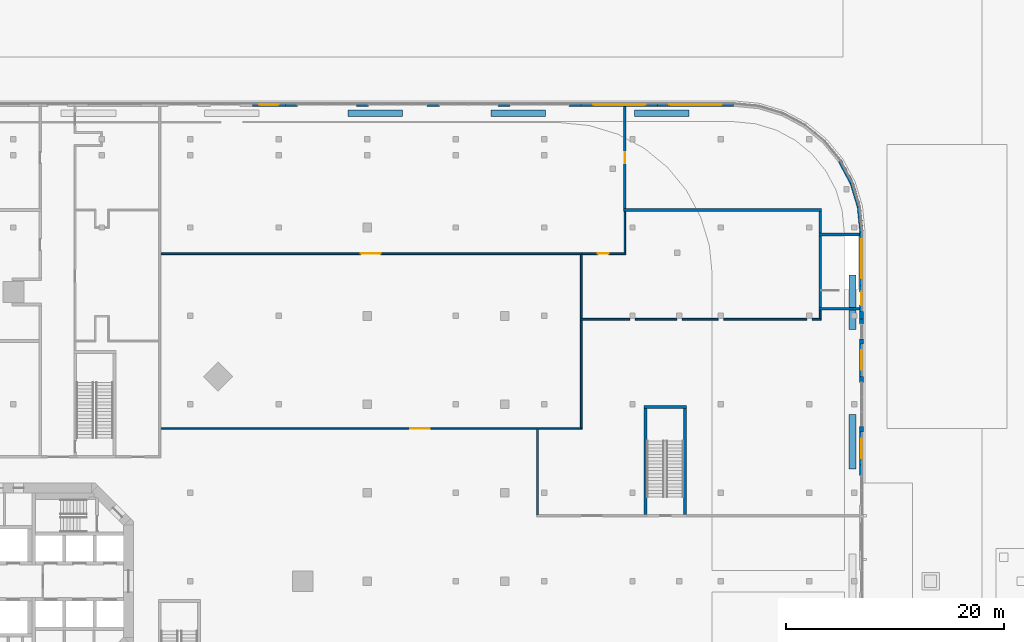
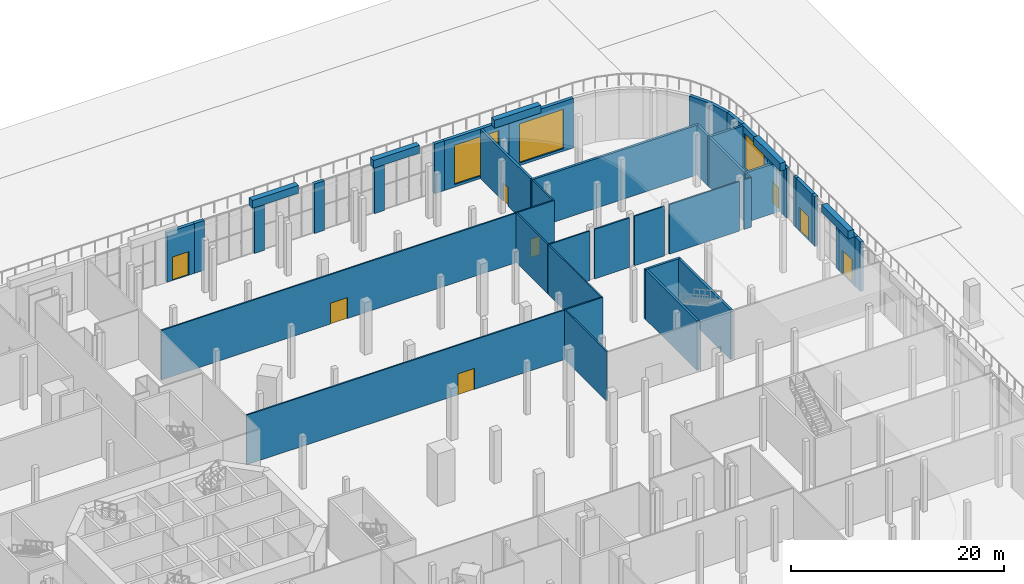
# One storey, part 22 of 32: 48 walls, 8 doors, 3 windows, 11 openings.
"""IFC4 building model written with IfcOpenShell, lengths in metres."""

from ifc_helpers import new_model, si_unit, direction, frame, frame_2d, origin, place, context, subcontext, project, spatial, rectangle, extrude, material, layer, layer_set, type_object, element, fill, save


model = new_model("IFC4")

# Units and contexts
model_context = context("Model", 3, precision=1e-05, world=origin(), true_north=direction((0.0, 1.0)))
body_context = subcontext(model_context, "Body", "Model", "MODEL_VIEW")
ifc_project = project(units=[si_unit("LENGTHUNIT", "METRE"), si_unit("AREAUNIT", "SQUARE_METRE"), si_unit("VOLUMEUNIT", "CUBIC_METRE"), si_unit("PLANEANGLEUNIT", "RADIAN"), si_unit("MASSUNIT", "GRAM", prefix="KILO")], contexts=[model_context])

# Site, building, storey
site_placement = place(None, origin())
site = spatial("IfcSite", under=ifc_project, at=site_placement, CompositionType="ELEMENT")
building_placement = place(site_placement, origin())
building = spatial("IfcBuilding", under=site, at=building_placement, Name="Torre Triforio", CompositionType="ELEMENT")
storey_placement = place(building_placement, origin())
storey = spatial("IfcBuildingStorey", under=building, at=storey_placement, Name="L00", CompositionType="ELEMENT", Elevation=0.0)

# Walls
ifc_material_1 = material(Name="Plasterboard on metal studs")
ifc_layer_1 = layer(ifc_material_1, 0.14990234375)
ifc_layer_set_1 = layer_set([ifc_layer_1], Name="Plasterboard on metal studs")
wall_type_1 = type_object("IfcWallType", Name="Corridor wall 150 EI 60", PredefinedType="PARTITIONING", material=ifc_layer_set_1)
wall_1_placement = place(storey_placement, frame((52.0, 14.074951171875, 0.0), z_axis=(0.0, 0.0, 1.0), x_axis=(0.0, 1.0, 0.0)))
element("IfcWall", 1, at=wall_1_placement, inside=storey, type_object=wall_type_1, Name="Corridor wall L00 037", PredefinedType="PARTITIONING", context=body_context, shape_type="SweptSolid", body=[
    extrude(rectangle(XDim=9.85009765625, YDim=0.14990234375, at=frame_2d((4.925048828125, 0.0))), origin(), (0.0, 0.0, 1.0), 5.679931640625),
])
wall_2_placement = place(storey_placement, frame((48.0, 6.074951171875, 0.0), z_axis=(0.0, 0.0, 1.0), x_axis=(0.0, 1.0, 0.0)))
element("IfcWall", 2, at=wall_2_placement, inside=storey, type_object=wall_type_1, Name="Corridor wall L00 038", PredefinedType="PARTITIONING", context=body_context, shape_type="SweptSolid", body=[
    extrude(rectangle(XDim=7.85009765625, YDim=0.14990234375, at=frame_2d((3.925048828125, 0.0))), origin(), (0.0, 0.0, 1.0), 5.679931640625),
])

# Wall, opening, door
wall_3_placement = place(storey_placement, frame((13.47509765625, 14.0, 0.0), z_axis=(0.0, 0.0, 1.0), x_axis=(1.0, 0.0, 0.0)))
wall_3 = element("IfcWall", 3, at=wall_3_placement, inside=storey, type_object=wall_type_1, Name="Corridor wall L00 102", PredefinedType="PARTITIONING", context=body_context, shape_type="SweptSolid", body=[
    extrude(rectangle(XDim=38.599853515625, YDim=0.14990234375, at=frame_2d((19.2998046875, 0.0))), origin(), (0.0, 0.0, 1.0), 5.679931640625),
])
opening_1_placement = place(wall_3_placement, frame((22.875, 0.0, 0.0)))
opening_1 = element("IfcOpeningElement", 4, at=opening_1_placement, cuts=wall_3, Name="Opening P0-08", PredefinedType="OPENING", context=body_context, shape_type="SweptSolid", body=[
    extrude(rectangle(XDim=1.800048828125, YDim=2.39990234375, at=frame_2d((0.89990234375, 1.199951171875))), frame((0.0, 0.0849609375, 0.0), z_axis=(0.0, -1.0, 0.0), x_axis=(1.0, 0.0, 0.0)), (0.0, 0.0, 1.0), 0.169921875),
])
ifc_material_2 = material(Name="Timber door leaf", Category="wood")
door_type_1 = type_object("IfcDoorType", Name="Double door 1800 x 2400 EI 60", OperationType="NOTDEFINED", PredefinedType="DOOR", material=ifc_material_2)
door_1_placement = place(opening_1_placement, origin())
door_1 = element("IfcDoor", 5, at=door_1_placement, inside=storey, type_object=door_type_1, Name="Door P0-08", OperationType="SINGLE_SWING_LEFT", OverallHeight=2.39990234375, OverallWidth=1.800048828125, PredefinedType="DOOR", context=body_context, shape_type="SweptSolid", body=[
    extrude(rectangle(XDim=1.800048828125, YDim=2.39990234375, at=frame_2d((0.89990234375, 1.199951171875))), frame((0.0, 0.02490234375, 0.0), z_axis=(0.0, -1.0, 0.0), x_axis=(1.0, 0.0, 0.0)), (0.0, 0.0, 1.0), 0.050048828125),
])
fill(opening_1, door_1)

wall_4_placement = place(storey_placement, frame((13.47509765625, 30.0, 0.0), z_axis=(0.0, 0.0, 1.0), x_axis=(1.0, 0.0, 0.0)))
wall_4 = element("IfcWall", 6, at=wall_4_placement, inside=storey, type_object=wall_type_1, Name="Corridor wall L00 103", PredefinedType="PARTITIONING", context=body_context, shape_type="SweptSolid", body=[
    extrude(rectangle(XDim=38.599853515625, YDim=0.14990234375, at=frame_2d((19.2998046875, 0.0))), origin(), (0.0, 0.0, 1.0), 5.679931640625),
])
opening_2_placement = place(wall_4_placement, frame((18.35009765625, 0.0, 0.0)))
opening_2 = element("IfcOpeningElement", 7, at=opening_2_placement, cuts=wall_4, Name="Opening P0-09", PredefinedType="OPENING", context=body_context, shape_type="SweptSolid", body=[
    extrude(rectangle(XDim=1.800048828125, YDim=2.39990234375, at=frame_2d((0.89990234375, 1.199951171875))), frame((0.0, 0.0849609375, 0.0), z_axis=(0.0, -1.0, 0.0), x_axis=(1.0, 0.0, 0.0)), (0.0, 0.0, 1.0), 0.169921875),
])
door_2_placement = place(opening_2_placement, origin())
door_2 = element("IfcDoor", 8, at=door_2_placement, inside=storey, type_object=door_type_1, Name="Door P0-09", OperationType="SINGLE_SWING_LEFT", OverallHeight=2.39990234375, OverallWidth=1.800048828125, PredefinedType="DOOR", context=body_context, shape_type="SweptSolid", body=[
    extrude(rectangle(XDim=1.800048828125, YDim=2.39990234375, at=frame_2d((0.89990234375, 1.199951171875))), frame((0.0, 0.02490234375, 0.0), z_axis=(0.0, -1.0, 0.0), x_axis=(1.0, 0.0, 0.0)), (0.0, 0.0, 1.0), 0.050048828125),
])
fill(opening_2, door_2)

# Walls
ifc_material_3 = material(Name="Masonry block", Category="masonry")
ifc_layer_2 = layer(ifc_material_3, 0.25)
ifc_layer_set_2 = layer_set([ifc_layer_2], Name="Masonry block")
wall_type_2 = type_object("IfcWallType", Name="Plant room wall 250 EI 120", PredefinedType="PARTITIONING", material=ifc_layer_set_2)
wall_5_placement = place(storey_placement, frame((55.875, 34.0, 0.0), z_axis=(0.0, 0.0, 1.0), x_axis=(1.0, 0.0, 0.0)))
element("IfcWall", 9, at=wall_5_placement, inside=storey, type_object=wall_type_2, Name="Plant room wall L00 042", PredefinedType="PARTITIONING", context=body_context, shape_type="SweptSolid", body=[
    extrude(rectangle(XDim=18.14990234375, YDim=0.25, at=frame_2d((9.074951171875, 0.0))), origin(), (0.0, 0.0, 1.0), 5.679931640625),
])
wall_6_placement = place(storey_placement, frame((73.89990234375, 31.875, 0.0), z_axis=(0.0, 0.0, 1.0), x_axis=(0.0, 1.0, 0.0)))
element("IfcWall", 10, at=wall_6_placement, inside=storey, type_object=wall_type_2, Name="Plant room wall L00 043", PredefinedType="PARTITIONING", context=body_context, shape_type="SweptSolid", body=[
    extrude(rectangle(XDim=2.0, YDim=0.25, at=frame_2d((1.0, 0.0))), origin(), (0.0, 0.0, 1.0), 5.679931640625),
])

# Wall, opening, door
wall_7_placement = place(storey_placement, frame((56.0, 34.125, 0.0), z_axis=(0.0, 0.0, 1.0), x_axis=(0.0, 1.0, 0.0)))
wall_7 = element("IfcWall", 11, at=wall_7_placement, inside=storey, type_object=wall_type_2, Name="Plant room wall L00 047", PredefinedType="PARTITIONING", context=body_context, shape_type="SweptSolid", body=[
    extrude(rectangle(XDim=9.375, YDim=0.25, at=frame_2d((4.6875, 0.0))), origin(), (0.0, 0.0, 1.0), 5.679931640625),
])
opening_3_placement = place(wall_7_placement, frame((4.14990234375, 0.0, 0.0)))
opening_3 = element("IfcOpeningElement", 12, at=opening_3_placement, cuts=wall_7, Name="Opening P0-12", PredefinedType="OPENING", context=body_context, shape_type="SweptSolid", body=[
    extrude(rectangle(XDim=1.0, YDim=2.10009765625, at=frame_2d((0.5, 1.050048828125))), frame((0.0, 0.135009765625, 0.0), z_axis=(0.0, -1.0, 0.0), x_axis=(1.0, 0.0, 0.0)), (0.0, 0.0, 1.0), 0.27001953125),
])
ifc_material_4 = material(Name="Hollow metal fire door leaf")
door_type_2 = type_object("IfcDoorType", Name="Fire door 1000 x 2100 EI 60", OperationType="NOTDEFINED", PredefinedType="DOOR", material=ifc_material_4)
door_3_placement = place(opening_3_placement, origin())
door_3 = element("IfcDoor", 13, at=door_3_placement, inside=storey, type_object=door_type_2, Name="Door P0-12", OperationType="SINGLE_SWING_LEFT", OverallHeight=2.10009765625, OverallWidth=1.0, PredefinedType="DOOR", context=body_context, shape_type="SweptSolid", body=[
    extrude(rectangle(XDim=1.0, YDim=2.10009765625, at=frame_2d((0.5, 1.050048828125))), frame((0.0, 0.02490234375, 0.0), z_axis=(0.0, -1.0, 0.0), x_axis=(1.0, 0.0, 0.0)), (0.0, 0.0, 1.0), 0.050048828125),
])
fill(opening_3, door_3)

# Walls
ifc_material_5 = material(Name="Concrete C40", Category="concrete")
ifc_layer_3 = layer(ifc_material_5, 0.25)
ifc_layer_set_3 = layer_set([ifc_layer_3], Name="Concrete C40")
wall_type_3 = type_object("IfcWallType", Name="Plant room wall 250 structural EI 120", PredefinedType="STANDARD", material=ifc_layer_set_3)
wall_8_placement = place(storey_placement, frame((73.77490234375, 31.75, 0.0), z_axis=(0.0, 0.0, 1.0), x_axis=(1.0, 0.0, 0.0)))
element("IfcWall", 14, at=wall_8_placement, inside=storey, type_object=wall_type_3, Name="Plant room wall L00 028", PredefinedType="STANDARD", context=body_context, shape_type="SweptSolid", body=[
    extrude(rectangle(XDim=3.72509765625, YDim=0.25, at=frame_2d((1.862548828125, 0.0))), origin(), (0.0, 0.0, 1.0), 5.679931640625),
])
ifc_layer_4 = layer(ifc_material_5, 0.25)
ifc_layer_set_4 = layer_set([ifc_layer_4], Name="Concrete C40")
wall_type_4 = type_object("IfcWallType", Name="Stair enclosure wall 250 EI 120", PredefinedType="STANDARD", material=ifc_layer_set_4)
wall_9_placement = place(storey_placement, frame((73.77490234375, 24.949951171875, 0.0), z_axis=(0.0, 0.0, 1.0), x_axis=(1.0, 0.0, 0.0)))
element("IfcWall", 15, at=wall_9_placement, inside=storey, type_object=wall_type_4, Name="Stair enclosure wall L00 026", PredefinedType="STANDARD", context=body_context, shape_type="SweptSolid", body=[
    extrude(rectangle(XDim=3.72509765625, YDim=0.25, at=frame_2d((1.862548828125, 0.0))), origin(), (0.0, 0.0, 1.0), 5.679931640625),
])
wall_10_placement = place(storey_placement, frame((73.89990234375, 25.074951171875, 0.0), z_axis=(0.0, 0.0, 1.0), x_axis=(0.0, 1.0, 0.0)))
element("IfcWall", 16, at=wall_10_placement, inside=storey, type_object=wall_type_4, Name="Stair enclosure wall L00 027", PredefinedType="STANDARD", context=body_context, shape_type="SweptSolid", body=[
    extrude(rectangle(XDim=6.550048828125, YDim=0.25, at=frame_2d((3.27490234375, 0.0))), origin(), (0.0, 0.0, 1.0), 5.679931640625),
])
wall_11_placement = place(storey_placement, frame((57.77490234375, 15.949951171875, 0.0), z_axis=(0.0, 0.0, 1.0), x_axis=(1.0, 0.0, 0.0)))
element("IfcWall", 17, at=wall_11_placement, inside=storey, type_object=wall_type_4, Name="Stair enclosure wall L00 039", PredefinedType="STANDARD", context=body_context, shape_type="SweptSolid", body=[
    extrude(rectangle(XDim=3.85009765625, YDim=0.25, at=frame_2d((1.925048828125, 0.0))), origin(), (0.0, 0.0, 1.0), 5.679931640625),
])
for number, where, z_axis, x_axis, name in (
    (18, (57.89990234375, 6.125, 0.0), (0.0, 0.0, 1.0), (0.0, 1.0, 0.0), "Stair enclosure wall L00 040"),
    (19, (61.5, 6.125, 0.0), (0.0, 0.0, 1.0), (0.0, 1.0, 0.0), "Stair enclosure wall L00 041"),
):
    element("IfcWall", number, at=place(storey_placement, frame(where, z_axis=z_axis, x_axis=x_axis)), inside=storey, type_object=wall_type_4, Name=name, PredefinedType="STANDARD", context=body_context, shape_type="SweptSolid", body=[
        extrude(rectangle(XDim=9.699951171875, YDim=0.25, at=frame_2d((4.85009765625, 0.0))), origin(), (0.0, 0.0, 1.0), 5.679931640625),
    ])
ifc_material_6 = material(Name="Limestone cladding", Category="masonry")
ifc_layer_5 = layer(ifc_material_6, 0.10009765625)
ifc_layer_6 = layer(ifc_material_5, 0.25)
ifc_layer_set_5 = layer_set([ifc_layer_5, ifc_layer_6], Name="Limestone cladding / Concrete C40")
wall_type_5 = type_object("IfcWallType", Name="Stone-clad podium wall 350", PredefinedType="STANDARD", material=ifc_layer_set_5)
wall_12_placement = place(storey_placement, frame((77.675048828125, 9.675048828125, 0.0), z_axis=(0.0, 0.0, 1.0), x_axis=(0.0, 1.0, 0.0)))
element("IfcWall", 20, at=wall_12_placement, inside=storey, type_object=wall_type_5, Name="External wall L00 e08.9.1.g1", PredefinedType="STANDARD", context=body_context, shape_type="SweptSolid", body=[
    extrude(rectangle(XDim=0.974853515625, YDim=0.35009765625, at=frame_2d((0.4873046875, 0.0))), origin(), (0.0, 0.0, 1.0), 5.679931640625),
])

# Wall, opening, door
wall_13_placement = place(storey_placement, frame((77.675048828125, 10.64990234375, 0.0), z_axis=(0.0, 0.0, 1.0), x_axis=(0.0, 1.0, 0.0)))
wall_13 = element("IfcWall", 21, at=wall_13_placement, inside=storey, type_object=wall_type_5, Name="External wall L00 e08.10", PredefinedType="STANDARD", context=body_context, shape_type="SweptSolid", body=[
    extrude(rectangle(XDim=3.0, YDim=0.35009765625, at=frame_2d((1.5, 0.0))), origin(), (0.0, 0.0, 1.0), 5.679931640625),
])
opening_4_placement = place(wall_13_placement, frame((0.60009765625, 0.0, 0.0)))
opening_4 = element("IfcOpeningElement", 22, at=opening_4_placement, cuts=wall_13, Name="Opening P0-35", PredefinedType="OPENING", context=body_context, shape_type="SweptSolid", body=[
    extrude(rectangle(XDim=1.800048828125, YDim=2.699951171875, at=frame_2d((0.89990234375, 1.35009765625))), frame((0.0, 0.18505859375, 0.0), z_axis=(0.0, -1.0, 0.0), x_axis=(1.0, 0.0, 0.0)), (0.0, 0.0, 1.0), 0.3701171875),
])
ifc_material_7 = material(Name="Glazed aluminium door", Category="aluminium")
door_type_3 = type_object("IfcDoorType", Name="Garden double door 1800 x 2700", OperationType="NOTDEFINED", PredefinedType="DOOR", material=ifc_material_7)
door_4_placement = place(opening_4_placement, frame((1.800048828125, 0.0, 0.0), z_axis=(0.0, 0.0, 1.0), x_axis=(-1.0, 0.0, 0.0)))
door_4 = element("IfcDoor", 23, at=door_4_placement, inside=storey, type_object=door_type_3, Name="Door P0-35", OperationType="SINGLE_SWING_RIGHT", OverallHeight=2.699951171875, OverallWidth=1.800048828125, PredefinedType="DOOR", context=body_context, shape_type="SweptSolid", body=[
    extrude(rectangle(XDim=1.800048828125, YDim=2.699951171875, at=frame_2d((0.89990234375, 1.35009765625))), frame((0.0, 0.02490234375, 0.0), z_axis=(0.0, -1.0, 0.0), x_axis=(1.0, 0.0, 0.0)), (0.0, 0.0, 1.0), 0.050048828125),
])
fill(opening_4, door_4)

# Walls
wall_14_placement = place(storey_placement, frame((77.675048828125, 13.64990234375, 0.0), z_axis=(0.0, 0.0, 1.0), x_axis=(0.0, 1.0, 0.0)))
element("IfcWall", 24, at=wall_14_placement, inside=storey, type_object=wall_type_5, Name="External wall L00 e08.11.g0", PredefinedType="STANDARD", context=body_context, shape_type="SweptSolid", body=[
    extrude(rectangle(XDim=0.525146484375, YDim=0.35009765625, at=frame_2d((0.2626953125, 0.0))), origin(), (0.0, 0.0, 1.0), 5.679931640625),
])
wall_15_placement = place(storey_placement, frame((77.675048828125, 18.22509765625, 0.0), z_axis=(0.0, 0.0, 1.0), x_axis=(0.0, 1.0, 0.0)))
element("IfcWall", 25, at=wall_15_placement, inside=storey, type_object=wall_type_5, Name="External wall L00 e08.11.g1", PredefinedType="STANDARD", context=body_context, shape_type="SweptSolid", body=[
    extrude(rectangle(XDim=0.52490234375, YDim=0.35009765625, at=frame_2d((0.262451171875, 0.0))), origin(), (0.0, 0.0, 1.0), 5.679931640625),
])

# Wall, opening, door
wall_16_placement = place(storey_placement, frame((77.675048828125, 18.75, 0.0), z_axis=(0.0, 0.0, 1.0), x_axis=(0.0, 1.0, 0.0)))
wall_16 = element("IfcWall", 26, at=wall_16_placement, inside=storey, type_object=wall_type_5, Name="External wall L00 e08.12", PredefinedType="STANDARD", context=body_context, shape_type="SweptSolid", body=[
    extrude(rectangle(XDim=3.0, YDim=0.35009765625, at=frame_2d((1.5, 0.0))), origin(), (0.0, 0.0, 1.0), 5.679931640625),
])
opening_5_placement = place(wall_16_placement, frame((0.60009765625, 0.0, 0.0)))
opening_5 = element("IfcOpeningElement", 27, at=opening_5_placement, cuts=wall_16, Name="Opening P0-36", PredefinedType="OPENING", context=body_context, shape_type="SweptSolid", body=[
    extrude(rectangle(XDim=1.800048828125, YDim=2.699951171875, at=frame_2d((0.89990234375, 1.35009765625))), frame((0.0, 0.18505859375, 0.0), z_axis=(0.0, -1.0, 0.0), x_axis=(1.0, 0.0, 0.0)), (0.0, 0.0, 1.0), 0.3701171875),
])
door_5_placement = place(opening_5_placement, frame((1.800048828125, 0.0, 0.0), z_axis=(0.0, 0.0, 1.0), x_axis=(-1.0, 0.0, 0.0)))
door_5 = element("IfcDoor", 28, at=door_5_placement, inside=storey, type_object=door_type_3, Name="Door P0-36", OperationType="SINGLE_SWING_RIGHT", OverallHeight=2.699951171875, OverallWidth=1.800048828125, PredefinedType="DOOR", context=body_context, shape_type="SweptSolid", body=[
    extrude(rectangle(XDim=1.800048828125, YDim=2.699951171875, at=frame_2d((0.89990234375, 1.35009765625))), frame((0.0, 0.02490234375, 0.0), z_axis=(0.0, -1.0, 0.0), x_axis=(1.0, 0.0, 0.0)), (0.0, 0.0, 1.0), 0.050048828125),
])
fill(opening_5, door_5)

# Walls
for number, where, z_axis, x_axis, name in (
    (29, (77.675048828125, 21.75, 0.0), (0.0, 0.0, 1.0), (0.0, 1.0, 0.0), "External wall L00 e08.13.0.g0"),
    (30, (77.675048828125, 23.550048828125, 0.0), (0.0, 0.0, 1.0), (0.0, 1.0, 0.0), "External wall L00 e08.13.0.g1"),
):
    element("IfcWall", number, at=place(storey_placement, frame(where, z_axis=z_axis, x_axis=x_axis)), inside=storey, type_object=wall_type_5, Name=name, PredefinedType="STANDARD", context=body_context, shape_type="SweptSolid", body=[
        extrude(rectangle(XDim=0.449951171875, YDim=0.35009765625, at=frame_2d((0.22509765625, 0.0))), origin(), (0.0, 0.0, 1.0), 5.679931640625),
    ])
wall_17_placement = place(storey_placement, frame((77.675048828125, 24.0, 0.0), z_axis=(0.0, 0.0, 1.0), x_axis=(0.0, 1.0, 0.0)))
element("IfcWall", 31, at=wall_17_placement, inside=storey, type_object=wall_type_5, Name="External wall L00 e08.13.1.w0", PredefinedType="STANDARD", context=body_context, shape_type="SweptSolid", body=[
    extrude(rectangle(XDim=0.699951171875, YDim=0.35009765625, at=frame_2d((0.35009765625, 0.0))), origin(), (0.0, 0.0, 1.0), 5.679931640625),
])

# Wall, opening, door
wall_18_placement = place(storey_placement, frame((77.675048828125, 24.699951171875, 0.0), z_axis=(0.0, 0.0, 1.0), x_axis=(0.0, 1.0, 0.0)))
wall_18 = element("IfcWall", 32, at=wall_18_placement, inside=storey, type_object=wall_type_5, Name="External wall L00 e08.14", PredefinedType="STANDARD", context=body_context, shape_type="SweptSolid", body=[
    extrude(rectangle(XDim=2.400146484375, YDim=0.35009765625, at=frame_2d((1.2001953125, 0.0))), origin(), (0.0, 0.0, 1.0), 5.679931640625),
])
opening_6_placement = place(wall_18_placement, frame((0.60009765625, 0.0, 0.0)))
opening_6 = element("IfcOpeningElement", 33, at=opening_6_placement, cuts=wall_18, Name="Opening P0-53", PredefinedType="OPENING", context=body_context, shape_type="SweptSolid", body=[
    extrude(rectangle(XDim=1.199951171875, YDim=2.39990234375, at=frame_2d((0.60009765625, 1.199951171875))), frame((0.0, 0.18505859375, 0.0), z_axis=(0.0, -1.0, 0.0), x_axis=(1.0, 0.0, 0.0)), (0.0, 0.0, 1.0), 0.3701171875),
])
ifc_material_8 = material(Name="Galvanised hollow metal door leaf")
door_type_4 = type_object("IfcDoorType", Name="Exit discharge door 1200 x 2400", OperationType="NOTDEFINED", PredefinedType="DOOR", material=ifc_material_8)
door_6_placement = place(opening_6_placement, frame((1.199951171875, 0.0, 0.0), z_axis=(0.0, 0.0, 1.0), x_axis=(-1.0, 0.0, 0.0)))
door_6 = element("IfcDoor", 34, at=door_6_placement, inside=storey, type_object=door_type_4, Name="Door P0-53", OperationType="SINGLE_SWING_RIGHT", OverallHeight=2.39990234375, OverallWidth=1.199951171875, PredefinedType="DOOR", context=body_context, shape_type="SweptSolid", body=[
    extrude(rectangle(XDim=1.199951171875, YDim=2.39990234375, at=frame_2d((0.60009765625, 1.199951171875))), frame((0.0, 0.02490234375, 0.0), z_axis=(0.0, -1.0, 0.0), x_axis=(1.0, 0.0, 0.0)), (0.0, 0.0, 1.0), 0.050048828125),
])
fill(opening_6, door_6)

# Wall, opening, window
wall_19_placement = place(storey_placement, frame((77.675048828125, 27.10009765625, 0.0), z_axis=(0.0, 0.0, 1.0), x_axis=(0.0, 1.0, 0.0)))
wall_19 = element("IfcWall", 35, at=wall_19_placement, inside=storey, type_object=wall_type_5, Name="External wall L00 e08.15.w0", PredefinedType="STANDARD", context=body_context, shape_type="SweptSolid", body=[
    extrude(rectangle(XDim=4.8837890625, YDim=0.35009765625, at=frame_2d((2.44189453125, 0.0))), origin(), (0.0, 0.0, 1.0), 5.679931640625),
])
opening_7_placement = place(wall_19_placement, frame((0.64208984375, 0.0, 1.0)))
opening_7 = element("IfcOpeningElement", 36, at=opening_7_placement, cuts=wall_19, Name="Opening P0-W01", PredefinedType="OPENING", context=body_context, shape_type="SweptSolid", body=[
    extrude(rectangle(XDim=3.60009765625, YDim=4.0, at=frame_2d((1.800048828125, 2.0))), frame((0.0, 0.18505859375, 0.0), z_axis=(0.0, -1.0, 0.0), x_axis=(1.0, 0.0, 0.0)), (0.0, 0.0, 1.0), 0.3701171875),
])
ifc_material_9 = material(Name="Aluminium frame with clear double glazing", Category="aluminium")
window_type_1 = type_object("IfcWindowType", Name="Podium window 3600 x 4000", PartitioningType="DOUBLE_PANEL_VERTICAL", PredefinedType="WINDOW", material=ifc_material_9)
window_1_placement = place(opening_7_placement, origin())
window_1 = element("IfcWindow", 37, at=window_1_placement, inside=storey, type_object=window_type_1, Name="Window L00 e08.15.w0", OverallHeight=4.0, OverallWidth=3.60009765625, PartitioningType="SINGLE_PANEL", PredefinedType="WINDOW", context=body_context, shape_type="SweptSolid", body=[
    extrude(rectangle(XDim=3.60009765625, YDim=4.0, at=frame_2d((1.800048828125, 2.0))), frame((0.0, 0.030029296875, 0.0), z_axis=(0.0, -1.0, 0.0), x_axis=(1.0, 0.0, 0.0)), (0.0, 0.0, 1.0), 0.06005859375),
])
fill(opening_7, window_1)

# Walls
wall_20_placement = place(storey_placement, frame((77.675048828125, 31.98388671875, 0.0), z_axis=(0.0, 0.0, 1.0), x_axis=(-0.097993192849, 0.995187085002, 0.0)))
element("IfcWall", 38, at=wall_20_placement, inside=storey, type_object=wall_type_5, Name="External wall L00 e09.0.w0", PredefinedType="STANDARD", context=body_context, shape_type="SweptSolid", body=[
    extrude(rectangle(XDim=2.304443359375, YDim=0.35009765625, at=frame_2d((1.15234375, 0.0))), origin(), (0.0, 0.0, 1.0), 5.679931640625),
])
wall_21_placement = place(storey_placement, frame((77.44921875, 34.27734375, 0.0), z_axis=(0.0, 0.0, 1.0), x_axis=(-0.29028274763, 0.956940921075, 0.0)))
element("IfcWall", 39, at=wall_21_placement, inside=storey, type_object=wall_type_5, Name="External wall L00 e10.0.w0", PredefinedType="STANDARD", context=body_context, shape_type="SweptSolid", body=[
    extrude(rectangle(XDim=2.28857421875, YDim=0.35009765625, at=frame_2d((1.144287109375, 0.0))), origin(), (0.0, 0.0, 1.0), 5.679931640625),
])
wall_22_placement = place(storey_placement, frame((76.784912109375, 36.46728515625, 0.0), z_axis=(0.0, 0.0, 1.0), x_axis=(-0.47145739061, 0.881888841544, 0.0)))
element("IfcWall", 40, at=wall_22_placement, inside=storey, type_object=wall_type_5, Name="External wall L00 e11.0.w0", PredefinedType="STANDARD", context=body_context, shape_type="SweptSolid", body=[
    extrude(rectangle(XDim=2.288330078125, YDim=0.35009765625, at=frame_2d((1.14404296875, 0.0))), origin(), (0.0, 0.0, 1.0), 5.679931640625),
])

# Wall, opening, window
wall_23_placement = place(storey_placement, frame((65.98388671875, 43.675048828125, 0.0), z_axis=(0.0, 0.0, 1.0), x_axis=(-1.0, 0.0, 0.0)))
wall_23 = element("IfcWall", 41, at=wall_23_placement, inside=storey, type_object=wall_type_5, Name="External wall L00 e17.0.0.w0", PredefinedType="STANDARD", context=body_context, shape_type="SweptSolid", body=[
    extrude(rectangle(XDim=6.991943359375, YDim=0.35009765625, at=frame_2d((3.49609375, 0.0))), origin(), (0.0, 0.0, 1.0), 5.679931640625),
])
opening_8_placement = place(wall_23_placement, frame((1.095947265625, 0.0, 0.300048828125)))
opening_8 = element("IfcOpeningElement", 42, at=opening_8_placement, cuts=wall_23, Name="Opening P0-W02", PredefinedType="OPENING", context=body_context, shape_type="SweptSolid", body=[
    extrude(rectangle(XDim=4.800048828125, YDim=4.5, at=frame_2d((2.39990234375, 2.25))), frame((0.0, 0.18505859375, 0.0), z_axis=(0.0, -1.0, 0.0), x_axis=(1.0, 0.0, 0.0)), (0.0, 0.0, 1.0), 0.3701171875),
])
ifc_material_10 = material(Name="Aluminium frame with clear laminated glazing", Category="aluminium")
window_type_2 = type_object("IfcWindowType", Name="Shopfront window 4800 x 4500", PartitioningType="DOUBLE_PANEL_VERTICAL", PredefinedType="WINDOW", material=ifc_material_10)
window_2_placement = place(opening_8_placement, origin())
window_2 = element("IfcWindow", 43, at=window_2_placement, inside=storey, type_object=window_type_2, Name="Window L00 e17.0.0.w0", OverallHeight=4.5, OverallWidth=4.800048828125, PartitioningType="SINGLE_PANEL", PredefinedType="WINDOW", context=body_context, shape_type="SweptSolid", body=[
    extrude(rectangle(XDim=4.800048828125, YDim=4.5, at=frame_2d((2.39990234375, 2.25))), frame((0.0, 0.030029296875, 0.0), z_axis=(0.0, -1.0, 0.0), x_axis=(1.0, 0.0, 0.0)), (0.0, 0.0, 1.0), 0.06005859375),
])
fill(opening_8, window_2)

wall_24_placement = place(storey_placement, frame((58.991943359375, 43.675048828125, 0.0), z_axis=(0.0, 0.0, 1.0), x_axis=(-1.0, 0.0, 0.0)))
wall_24 = element("IfcWall", 44, at=wall_24_placement, inside=storey, type_object=wall_type_5, Name="External wall L00 e17.0.0.w1", PredefinedType="STANDARD", context=body_context, shape_type="SweptSolid", body=[
    extrude(rectangle(XDim=6.991943359375, YDim=0.35009765625, at=frame_2d((3.49609375, 0.0))), origin(), (0.0, 0.0, 1.0), 5.679931640625),
])
opening_9_placement = place(wall_24_placement, frame((1.095947265625, 0.0, 0.300048828125)))
opening_9 = element("IfcOpeningElement", 45, at=opening_9_placement, cuts=wall_24, Name="Opening P0-W03", PredefinedType="OPENING", context=body_context, shape_type="SweptSolid", body=[
    extrude(rectangle(XDim=4.800048828125, YDim=4.5, at=frame_2d((2.39990234375, 2.25))), frame((0.0, 0.18505859375, 0.0), z_axis=(0.0, -1.0, 0.0), x_axis=(1.0, 0.0, 0.0)), (0.0, 0.0, 1.0), 0.3701171875),
])
window_3_placement = place(opening_9_placement, origin())
window_3 = element("IfcWindow", 46, at=window_3_placement, inside=storey, type_object=window_type_2, Name="Window L00 e17.0.0.w1", OverallHeight=4.5, OverallWidth=4.800048828125, PartitioningType="SINGLE_PANEL", PredefinedType="WINDOW", context=body_context, shape_type="SweptSolid", body=[
    extrude(rectangle(XDim=4.800048828125, YDim=4.5, at=frame_2d((2.39990234375, 2.25))), frame((0.0, 0.030029296875, 0.0), z_axis=(0.0, -1.0, 0.0), x_axis=(1.0, 0.0, 0.0)), (0.0, 0.0, 1.0), 0.06005859375),
])
fill(opening_9, window_3)

# Walls
for number, where, z_axis, x_axis, name in (
    (47, (52.0, 43.675048828125, 0.0), (0.0, 0.0, 1.0), (-1.0, 0.0, 0.0), "External wall L00 e17.0.1.g0"),
    (48, (45.5, 43.675048828125, 0.0), (0.0, 0.0, 1.0), (-1.0, 0.0, 0.0), "External wall L00 e17.0.1.g1"),
    (49, (39.0, 43.675048828125, 0.0), (0.0, 0.0, 1.0), (-1.0, 0.0, 0.0), "External wall L00 e17.0.1.g2"),
    (50, (32.5, 43.675048828125, 0.0), (0.0, 0.0, 1.0), (-1.0, 0.0, 0.0), "External wall L00 e17.0.1.g3"),
    (51, (26.0, 43.675048828125, 0.0), (0.0, 0.0, 1.0), (-1.0, 0.0, 0.0), "External wall L00 e17.0.1.g4"),
):
    element("IfcWall", number, at=place(storey_placement, frame(where, z_axis=z_axis, x_axis=x_axis)), inside=storey, type_object=wall_type_5, Name=name, PredefinedType="STANDARD", context=body_context, shape_type="SweptSolid", body=[
        extrude(rectangle(XDim=1.10009765625, YDim=0.35009765625, at=frame_2d((0.550048828125, 0.0))), origin(), (0.0, 0.0, 1.0), 5.679931640625),
    ])

# Wall, opening, door
wall_25_placement = place(storey_placement, frame((24.89990234375, 43.675048828125, 0.0), z_axis=(0.0, 0.0, 1.0), x_axis=(-1.0, 0.0, 0.0)))
wall_25 = element("IfcWall", 52, at=wall_25_placement, inside=storey, type_object=wall_type_5, Name="External wall L00 e17.1", PredefinedType="STANDARD", context=body_context, shape_type="SweptSolid", body=[
    extrude(rectangle(XDim=3.0, YDim=0.35009765625, at=frame_2d((1.5, 0.0))), origin(), (0.0, 0.0, 1.0), 5.679931640625),
])
opening_10_placement = place(wall_25_placement, frame((0.60009765625, 0.0, 0.0)))
opening_10 = element("IfcOpeningElement", 53, at=opening_10_placement, cuts=wall_25, Name="Opening P0-40", PredefinedType="OPENING", context=body_context, shape_type="SweptSolid", body=[
    extrude(rectangle(XDim=1.800048828125, YDim=2.699951171875, at=frame_2d((0.89990234375, 1.35009765625))), frame((0.0, 0.18505859375, 0.0), z_axis=(0.0, -1.0, 0.0), x_axis=(1.0, 0.0, 0.0)), (0.0, 0.0, 1.0), 0.3701171875),
])
door_7_placement = place(opening_10_placement, frame((1.800048828125, 0.0, 0.0), z_axis=(0.0, 0.0, 1.0), x_axis=(-1.0, 0.0, 0.0)))
door_7 = element("IfcDoor", 54, at=door_7_placement, inside=storey, type_object=door_type_3, Name="Door P0-40", OperationType="SINGLE_SWING_RIGHT", OverallHeight=2.699951171875, OverallWidth=1.800048828125, PredefinedType="DOOR", context=body_context, shape_type="SweptSolid", body=[
    extrude(rectangle(XDim=1.800048828125, YDim=2.699951171875, at=frame_2d((0.89990234375, 1.35009765625))), frame((0.0, 0.02490234375, 0.0), z_axis=(0.0, -1.0, 0.0), x_axis=(1.0, 0.0, 0.0)), (0.0, 0.0, 1.0), 0.050048828125),
])
fill(opening_10, door_7)

# Walls
ifc_layer_7 = layer(ifc_material_6, 0.10009765625)
ifc_layer_8 = layer(ifc_material_5, 0.5)
ifc_layer_set_6 = layer_set([ifc_layer_7, ifc_layer_8], Name="Limestone cladding / Concrete C40")
wall_type_6 = type_object("IfcWallType", Name="Terrace planter wall 600", PredefinedType="PARAPET", material=ifc_layer_set_6)
for number, where, z_axis, x_axis, name in (
    (55, (76.85009765625, 10.27734375, 6.0), (0.0, 0.0, 1.0), (0.0, 1.0, 0.0), "Terrace T1 planter 09.4"),
    (56, (76.85009765625, 23.0546875, 6.0), (0.0, 0.0, 1.0), (0.0, 1.0, 0.0), "Terrace T1 planter 09.5"),
    (57, (61.880126953125, 42.85009765625, 6.0), (0.0, 0.0, 1.0), (-1.0, 0.0, 0.0), "Terrace T1 planter 18.1"),
    (58, (48.75341796875, 42.85009765625, 6.0), (0.0, 0.0, 1.0), (-1.0, 0.0, 0.0), "Terrace T1 planter 18.2"),
    (59, (35.626708984375, 42.85009765625, 6.0), (0.0, 0.0, 1.0), (-1.0, 0.0, 0.0), "Terrace T1 planter 18.3"),
):
    element("IfcWall", number, at=place(storey_placement, frame(where, z_axis=z_axis, x_axis=x_axis)), inside=storey, type_object=wall_type_6, Name=name, PredefinedType="PARAPET", context=body_context, shape_type="SweptSolid", body=[
        extrude(rectangle(XDim=5.0, YDim=0.60009765625, at=frame_2d((2.5, 0.0))), origin(), (0.0, 0.0, 1.0), 0.89990234375),
    ])
ifc_layer_9 = layer(ifc_material_1, 0.14990234375)
ifc_layer_set_7 = layer_set([ifc_layer_9], Name="Plasterboard on metal studs")
wall_type_7 = type_object("IfcWallType", Name="Wet room wall 150", PredefinedType="PARTITIONING", material=ifc_layer_set_7)
wall_26_placement = place(storey_placement, frame((51.925048828125, 24.0, 0.0), z_axis=(0.0, 0.0, 1.0), x_axis=(1.0, 0.0, 0.0)))
element("IfcWall", 60, at=wall_26_placement, inside=storey, type_object=wall_type_7, Name="Wet room wall L00 029", PredefinedType="PARTITIONING", context=body_context, shape_type="SweptSolid", body=[
    extrude(rectangle(XDim=4.514892578125, YDim=0.14990234375, at=frame_2d((2.25732421875, 0.0))), origin(), (0.0, 0.0, 1.0), 5.679931640625),
])
wall_27_placement = place(storey_placement, frame((56.9599609375, 24.0, 0.0), z_axis=(0.0, 0.0, 1.0), x_axis=(1.0, 0.0, 0.0)))
element("IfcWall", 61, at=wall_27_placement, inside=storey, type_object=wall_type_7, Name="Wet room wall L00 030", PredefinedType="PARTITIONING", context=body_context, shape_type="SweptSolid", body=[
    extrude(rectangle(XDim=3.780029296875, YDim=0.14990234375, at=frame_2d((1.89013671875, 0.0))), origin(), (0.0, 0.0, 1.0), 5.679931640625),
])
wall_28_placement = place(storey_placement, frame((61.260009765625, 24.0, 0.0), z_axis=(0.0, 0.0, 1.0), x_axis=(1.0, 0.0, 0.0)))
element("IfcWall", 62, at=wall_28_placement, inside=storey, type_object=wall_type_7, Name="Wet room wall L00 031", PredefinedType="PARTITIONING", context=body_context, shape_type="SweptSolid", body=[
    extrude(rectangle(XDim=3.280029296875, YDim=0.14990234375, at=frame_2d((1.64013671875, 0.0))), origin(), (0.0, 0.0, 1.0), 5.679931640625),
])
wall_29_placement = place(storey_placement, frame((65.06005859375, 24.0, 0.0), z_axis=(0.0, 0.0, 1.0), x_axis=(1.0, 0.0, 0.0)))
element("IfcWall", 63, at=wall_29_placement, inside=storey, type_object=wall_type_7, Name="Wet room wall L00 032", PredefinedType="PARTITIONING", context=body_context, shape_type="SweptSolid", body=[
    extrude(rectangle(XDim=7.579833984375, YDim=0.14990234375, at=frame_2d((3.7900390625, 0.0))), origin(), (0.0, 0.0, 1.0), 5.679931640625),
])
wall_30_placement = place(storey_placement, frame((73.159912109375, 24.0, 0.0), z_axis=(0.0, 0.0, 1.0), x_axis=(1.0, 0.0, 0.0)))
element("IfcWall", 64, at=wall_30_placement, inside=storey, type_object=wall_type_7, Name="Wet room wall L00 033", PredefinedType="PARTITIONING", context=body_context, shape_type="SweptSolid", body=[
    extrude(rectangle(XDim=0.815185546875, YDim=0.14990234375, at=frame_2d((0.40771484375, 0.0))), origin(), (0.0, 0.0, 1.0), 5.679931640625),
])
wall_31_placement = place(storey_placement, frame((73.89990234375, 24.074951171875, 0.0), z_axis=(0.0, 0.0, 1.0), x_axis=(0.0, 1.0, 0.0)))
element("IfcWall", 65, at=wall_31_placement, inside=storey, type_object=wall_type_7, Name="Wet room wall L00 034", PredefinedType="PARTITIONING", context=body_context, shape_type="SweptSolid", body=[
    extrude(rectangle(XDim=0.75, YDim=0.14990234375, at=frame_2d((0.375, 0.0))), origin(), (0.0, 0.0, 1.0), 5.679931640625),
])
wall_32_placement = place(storey_placement, frame((52.0, 24.074951171875, 0.0), z_axis=(0.0, 0.0, 1.0), x_axis=(0.0, 1.0, 0.0)))
element("IfcWall", 66, at=wall_32_placement, inside=storey, type_object=wall_type_7, Name="Wet room wall L00 044", PredefinedType="PARTITIONING", context=body_context, shape_type="SweptSolid", body=[
    extrude(rectangle(XDim=5.85009765625, YDim=0.14990234375, at=frame_2d((2.925048828125, 0.0))), origin(), (0.0, 0.0, 1.0), 5.679931640625),
])

# Wall, opening, door
wall_33_placement = place(storey_placement, frame((52.074951171875, 30.0, 0.0), z_axis=(0.0, 0.0, 1.0), x_axis=(1.0, 0.0, 0.0)))
wall_33 = element("IfcWall", 67, at=wall_33_placement, inside=storey, type_object=wall_type_7, Name="Wet room wall L00 045", PredefinedType="PARTITIONING", context=body_context, shape_type="SweptSolid", body=[
    extrude(rectangle(XDim=4.0, YDim=0.14990234375, at=frame_2d((2.0, 0.0))), origin(), (0.0, 0.0, 1.0), 5.679931640625),
])
opening_11_placement = place(wall_33_placement, frame((1.449951171875, 0.0, 0.0)))
opening_11 = element("IfcOpeningElement", 68, at=opening_11_placement, cuts=wall_33, Name="Opening P0-11", PredefinedType="OPENING", context=body_context, shape_type="SweptSolid", body=[
    extrude(rectangle(XDim=1.0, YDim=2.10009765625, at=frame_2d((0.5, 1.050048828125))), frame((0.0, 0.0849609375, 0.0), z_axis=(0.0, -1.0, 0.0), x_axis=(1.0, 0.0, 0.0)), (0.0, 0.0, 1.0), 0.169921875),
])
door_type_5 = type_object("IfcDoorType", Name="Single door 1000 x 2100", OperationType="NOTDEFINED", PredefinedType="DOOR", material=ifc_material_2)
door_8_placement = place(opening_11_placement, origin())
door_8 = element("IfcDoor", 69, at=door_8_placement, inside=storey, type_object=door_type_5, Name="Door P0-11", OperationType="SINGLE_SWING_LEFT", OverallHeight=2.10009765625, OverallWidth=1.0, PredefinedType="DOOR", context=body_context, shape_type="SweptSolid", body=[
    extrude(rectangle(XDim=1.0, YDim=2.10009765625, at=frame_2d((0.5, 1.050048828125))), frame((0.0, 0.02490234375, 0.0), z_axis=(0.0, -1.0, 0.0), x_axis=(1.0, 0.0, 0.0)), (0.0, 0.0, 1.0), 0.050048828125),
])
fill(opening_11, door_8)

# Wall
wall_34_placement = place(storey_placement, frame((56.0, 30.074951171875, 0.0), z_axis=(0.0, 0.0, 1.0), x_axis=(0.0, 1.0, 0.0)))
element("IfcWall", 70, at=wall_34_placement, inside=storey, type_object=wall_type_7, Name="Wet room wall L00 046", PredefinedType="PARTITIONING", context=body_context, shape_type="SweptSolid", body=[
    extrude(rectangle(XDim=3.800048828125, YDim=0.14990234375, at=frame_2d((1.89990234375, 0.0))), origin(), (0.0, 0.0, 1.0), 5.679931640625),
])

save(model, "model.ifc")
